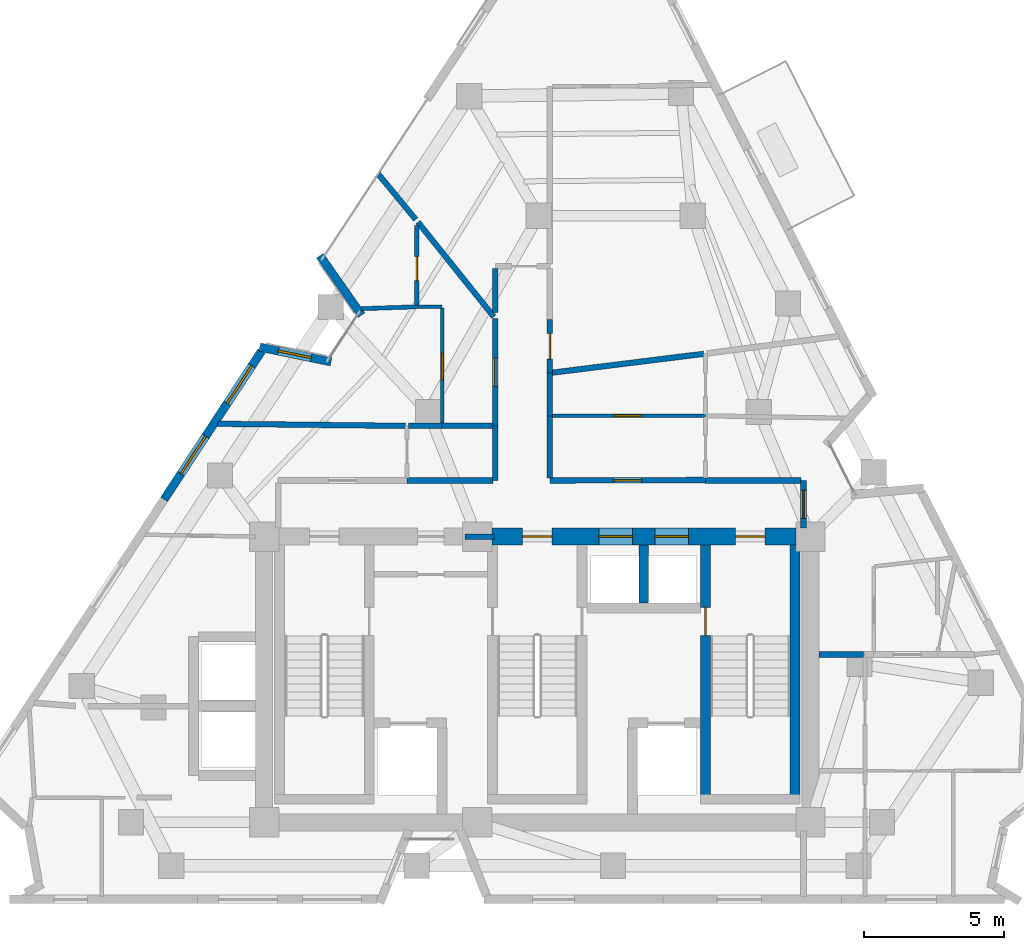
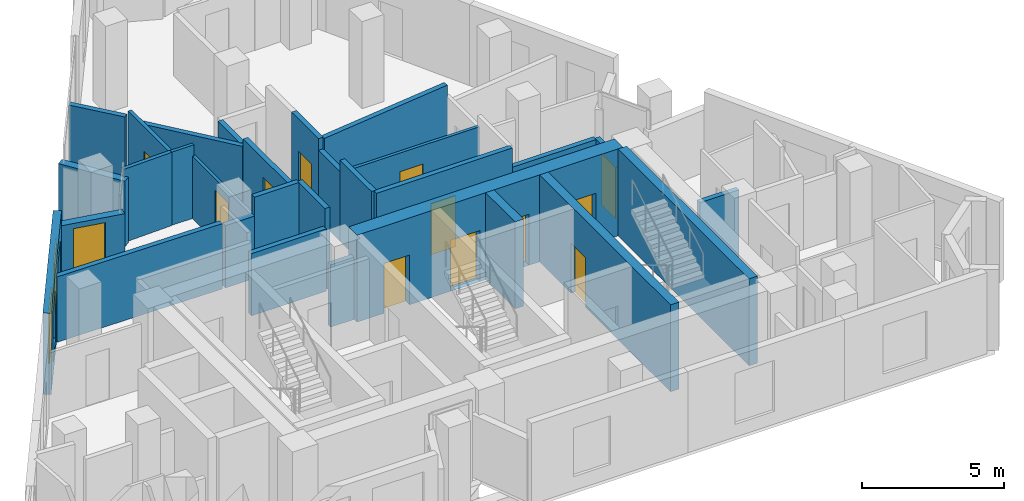
# One storey, part 6 of 9: 30 walls, 12 doors, 3 windows, 15 openings.
"""IFC4 building model written with IfcOpenShell, lengths in metres."""

from ifc_helpers import new_model, si_unit, direction, frame, frame_2d, origin, place, context, subcontext, project, spatial, rectangle, extrude, material, layer, layer_set, type_object, element, fill, save


model = new_model("IFC4")

# Units and contexts
model_context = context("Model", 3, precision=1e-05, world=origin(), true_north=direction((0.0, 1.0)))
body_context = subcontext(model_context, "Body", "Model", "MODEL_VIEW")
ifc_project = project(units=[si_unit("LENGTHUNIT", "METRE"), si_unit("AREAUNIT", "SQUARE_METRE"), si_unit("VOLUMEUNIT", "CUBIC_METRE"), si_unit("PLANEANGLEUNIT", "RADIAN"), si_unit("MASSUNIT", "GRAM", prefix="KILO")], contexts=[model_context])

# Site, building, storey
site_placement = place(None, origin())
site = spatial("IfcSite", under=ifc_project, at=site_placement, CompositionType="ELEMENT")
building_placement = place(site_placement, origin())
building = spatial("IfcBuilding", under=site, at=building_placement, Name="Almagre Mirador Tower", CompositionType="ELEMENT")
storey_placement = place(building_placement, frame((0.0, 0.0, 237.0)))
storey = spatial("IfcBuildingStorey", under=building, at=storey_placement, Name="L61", CompositionType="ELEMENT", Elevation=237.0)

# Wall, opening, window
ifc_material_1 = material(Name="Precast concrete C50/60", Category="concrete")
ifc_layer_1 = layer(ifc_material_1, 0.300048828125)
ifc_layer_set_1 = layer_set([ifc_layer_1], Name="Precast concrete C50/60")
wall_type_1 = type_object("IfcWallType", Name="WAL-EXT-300", PredefinedType="SOLIDWALL", material=ifc_layer_set_1)
wall_1_placement = place(storey_placement, frame((27.393798828125, 21.51318359375, 0.0), z_axis=(0.0, 0.0, 1.0), x_axis=(0.979513310411, -0.201379429751, 0.0)))
wall_1 = element("IfcWall", 1, at=wall_1_placement, inside=storey, type_object=wall_type_1, Name="L61 expressed almagre precast frame wall 01", PredefinedType="SOLIDWALL", context=body_context, shape_type="SweptSolid", body=[
    extrude(rectangle(XDim=2.594482421875, YDim=0.300048828125, at=frame_2d((1.29736328125, 0.0))), origin(), (0.0, 0.0, 1.0), 2.824951171875),
])
opening_1_placement = place(wall_1_placement, frame((0.675048828125, 0.0, 0.800048828125)))
opening_1 = element("IfcOpeningElement", 2, at=opening_1_placement, cuts=wall_1, Name="Opening WN-04", PredefinedType="OPENING", context=body_context, shape_type="SweptSolid", body=[
    extrude(rectangle(XDim=1.199951171875, YDim=1.800048828125, at=frame_2d((0.60009765625, 0.89990234375))), frame((0.0, 0.159902, 0.0), z_axis=(0.0, -1.0, 0.0), x_axis=(1.0, 0.0, 0.0)), (0.0, 0.0, 1.0), 0.320049),
])
ifc_material_2 = material(Name="Dark solar-control laminated hurricane glass", Category="glass")
window_type_1 = type_object("IfcWindowType", Name="WIN-1200X1800", PartitioningType="SINGLE_PANEL", PredefinedType="WINDOW", material=ifc_material_2)
window_1_placement = place(opening_1_placement, origin())
window_1 = element("IfcWindow", 3, at=window_1_placement, inside=storey, type_object=window_type_1, Name="L61 recessed hurricane window L61-UG-KT", OverallHeight=1.800048828125, OverallWidth=1.199951171875, PartitioningType="SINGLE_PANEL", PredefinedType="WINDOW", context=body_context, shape_type="SweptSolid", body=[
    extrude(rectangle(XDim=1.199951171875, YDim=1.800048828125, at=frame_2d((0.60009765625, 0.89990234375))), frame((0.0, 0.030029296875, 0.0), z_axis=(0.0, -1.0, 0.0), x_axis=(1.0, 0.0, 0.0)), (0.0, 0.0, 1.0), 0.06005859375),
])
fill(opening_1, window_1)

# Wall
wall_2_placement = place(storey_placement, frame((31.025390625, 22.6513671875, 0.0), z_axis=(0.0, 0.0, 1.0), x_axis=(-0.573670817112, 0.819085950065, 0.0)))
element("IfcWall", 4, at=wall_2_placement, inside=storey, type_object=wall_type_1, Name="L61 expressed almagre precast frame wall 02", PredefinedType="SOLIDWALL", context=body_context, shape_type="SweptSolid", body=[
    extrude(rectangle(XDim=2.593505859375, YDim=0.300048828125, at=frame_2d((1.296875, 0.0))), origin(), (0.0, 0.0, 1.0), 2.824951171875),
])

# Wall, openings, windows
wall_3_placement = place(storey_placement, frame((23.978271484375, 16.07666015625, 0.0), z_axis=(0.0, 0.0, 1.0), x_axis=(0.549014101099, 0.835813087236, 0.0)))
wall_3 = element("IfcWall", 5, at=wall_3_placement, inside=storey, type_object=wall_type_1, Name="L61 expressed almagre precast frame wall 32", PredefinedType="SOLIDWALL", context=body_context, shape_type="SweptSolid", body=[
    extrude(rectangle(XDim=6.3359375, YDim=0.300048828125, at=frame_2d((3.16796875, 0.0))), origin(), (0.0, 0.0, 1.0), 3.5),
])
opening_2_placement = place(wall_3_placement, frame((1.10009765625, 0.0, 0.550048828125)))
opening_2 = element("IfcOpeningElement", 6, at=opening_2_placement, cuts=wall_3, Name="Opening WN-06", PredefinedType="OPENING", context=body_context, shape_type="SweptSolid", body=[
    extrude(rectangle(XDim=1.60009765625, YDim=2.199951171875, at=frame_2d((0.800048828125, 1.10009765625))), frame((0.0, 0.159902, 0.0), z_axis=(0.0, -1.0, 0.0), x_axis=(1.0, 0.0, 0.0)), (0.0, 0.0, 1.0), 0.320049),
])
opening_3_placement = place(wall_3_placement, frame((4.10009765625, 0.0, 0.550048828125)))
opening_3 = element("IfcOpeningElement", 7, at=opening_3_placement, cuts=wall_3, Name="Opening WN-06", PredefinedType="OPENING", context=body_context, shape_type="SweptSolid", body=[
    extrude(rectangle(XDim=1.60009765625, YDim=2.199951171875, at=frame_2d((0.800048828125, 1.10009765625))), frame((0.0, 0.159902, 0.0), z_axis=(0.0, -1.0, 0.0), x_axis=(1.0, 0.0, 0.0)), (0.0, 0.0, 1.0), 0.320049),
])
ifc_material_3 = material(Name="Dark solar-control laminated hurricane glass", Category="glass")
window_type_2 = type_object("IfcWindowType", Name="WIN-1600X2200", PartitioningType="DOUBLE_PANEL_VERTICAL", PredefinedType="WINDOW", material=ifc_material_3)
window_2_placement = place(opening_2_placement, origin())
window_2 = element("IfcWindow", 8, at=window_2_placement, inside=storey, type_object=window_type_2, Name="L61 recessed hurricane window L61-UD-ST", OverallHeight=2.199951171875, OverallWidth=1.60009765625, PartitioningType="SINGLE_PANEL", PredefinedType="WINDOW", context=body_context, shape_type="SweptSolid", body=[
    extrude(rectangle(XDim=1.60009765625, YDim=2.199951171875, at=frame_2d((0.800048828125, 1.10009765625))), frame((0.0, 0.030029296875, 0.0), z_axis=(0.0, -1.0, 0.0), x_axis=(1.0, 0.0, 0.0)), (0.0, 0.0, 1.0), 0.06005859375),
])
fill(opening_2, window_2)
window_3_placement = place(opening_3_placement, origin())
window_3 = element("IfcWindow", 9, at=window_3_placement, inside=storey, type_object=window_type_2, Name="L61 recessed hurricane window L61-UG-KT", OverallHeight=2.199951171875, OverallWidth=1.60009765625, PartitioningType="SINGLE_PANEL", PredefinedType="WINDOW", context=body_context, shape_type="SweptSolid", body=[
    extrude(rectangle(XDim=1.60009765625, YDim=2.199951171875, at=frame_2d((0.800048828125, 1.10009765625))), frame((0.0, 0.030029296875, 0.0), z_axis=(0.0, -1.0, 0.0), x_axis=(1.0, 0.0, 0.0)), (0.0, 0.0, 1.0), 0.06005859375),
])
fill(opening_3, window_3)

# Wall, opening, door
ifc_material_4 = material(Name="Gypsum acoustic stud partition", Category="other")
ifc_layer_2 = layer(ifc_material_4, 0.125)
ifc_layer_set_2 = layer_set([ifc_layer_2], Name="Gypsum acoustic stud partition")
wall_type_2 = type_object("IfcWallType", Name="WAL-PRT-125-UTL", PredefinedType="PARTITIONING", material=ifc_layer_set_2)
wall_4_placement = place(storey_placement, frame((43.300048828125, 19.06005859375, 0.0), z_axis=(0.0, 0.0, 1.0), x_axis=(-1.0, 0.0, 0.0)))
wall_4 = element("IfcWall", 10, at=wall_4_placement, inside=storey, type_object=wall_type_2, Name="L61 interior partition 045", PredefinedType="PARTITIONING", context=body_context, shape_type="SweptSolid", body=[
    extrude(rectangle(XDim=5.465087890625, YDim=0.125, at=frame_2d((2.732421875, 0.0))), origin(), (0.0, 0.0, 1.0), 3.0029296875),
])
opening_4_placement = place(wall_4_placement, frame((2.300048828125, 0.0, 0.0)))
opening_4 = element("IfcOpeningElement", 11, at=opening_4_placement, cuts=wall_4, Name="Opening UD-01", PredefinedType="OPENING", context=body_context, shape_type="SweptSolid", body=[
    extrude(rectangle(XDim=0.949951171875, YDim=2.199951171875, at=frame_2d((0.47509765625, 1.10009765625))), frame((0.0, 0.0725, 0.0), z_axis=(0.0, -1.0, 0.0), x_axis=(1.0, 0.0, 0.0)), (0.0, 0.0, 1.0), 0.145),
])
ifc_material_5 = material(Name="Solid American walnut timber", Category="wood")
door_type_1 = type_object("IfcDoorType", Name="DOR-UNR-950X2200", OperationType="NOTDEFINED", PredefinedType="DOOR", material=ifc_material_5)
door_1_placement = place(opening_4_placement, origin())
door_1 = element("IfcDoor", 12, at=door_1_placement, inside=storey, type_object=door_type_1, Name="DR-1893 L61 interior door L61-UF-LV to L61-UF-KT", OperationType="SINGLE_SWING_LEFT", OverallHeight=2.199951171875, OverallWidth=0.949951171875, PredefinedType="DOOR", context=body_context, shape_type="SweptSolid", body=[
    extrude(rectangle(XDim=0.949951171875, YDim=2.199951171875, at=frame_2d((0.47509765625, 1.10009765625))), frame((0.0, 0.02490234375, 0.0), z_axis=(0.0, -1.0, 0.0), x_axis=(1.0, 0.0, 0.0)), (0.0, 0.0, 1.0), 0.050048828125),
])
fill(opening_4, door_1)

# Wall
wall_5_placement = place(storey_placement, frame((33.0, 22.949951171875, 0.0), z_axis=(0.0, 0.0, 1.0), x_axis=(1.0, 0.0, 0.0)))
element("IfcWall", 13, at=wall_5_placement, inside=storey, type_object=wall_type_2, Name="L61 interior partition 051", PredefinedType="PARTITIONING", context=body_context, shape_type="SweptSolid", body=[
    extrude(rectangle(XDim=0.89990234375, YDim=0.125, at=frame_2d((0.449951171875, 0.0))), origin(), (0.0, 0.0, 1.0), 3.159912109375),
])

# Wall, opening, door
wall_6_placement = place(storey_placement, frame((33.89990234375, 22.902587890625, 0.0), z_axis=(0.0, 0.0, 1.0), x_axis=(0.0, -1.0, 0.0)))
wall_6 = element("IfcWall", 14, at=wall_6_placement, inside=storey, type_object=wall_type_2, Name="L61 interior partition 052", PredefinedType="PARTITIONING", context=body_context, shape_type="SweptSolid", body=[
    extrude(rectangle(XDim=4.11767578125, YDim=0.125, at=frame_2d((2.058837890625, 0.0))), origin(), (0.0, 0.0, 1.0), 2.68505859375),
])
opening_5_placement = place(wall_6_placement, frame((1.6025390625, 0.0, 0.0)))
opening_5 = element("IfcOpeningElement", 15, at=opening_5_placement, cuts=wall_6, Name="Opening UD-01", PredefinedType="OPENING", context=body_context, shape_type="SweptSolid", body=[
    extrude(rectangle(XDim=0.949951171875, YDim=2.199951171875, at=frame_2d((0.47509765625, 1.10009765625))), frame((0.0, 0.0725, 0.0), z_axis=(0.0, -1.0, 0.0), x_axis=(1.0, 0.0, 0.0)), (0.0, 0.0, 1.0), 0.145),
])
door_2_placement = place(opening_5_placement, origin())
door_2 = element("IfcDoor", 16, at=door_2_placement, inside=storey, type_object=door_type_1, Name="DR-1897 L61 interior door L61-UG-ST to L61-UG-KT", OperationType="SINGLE_SWING_LEFT", OverallHeight=2.199951171875, OverallWidth=0.949951171875, PredefinedType="DOOR", context=body_context, shape_type="SweptSolid", body=[
    extrude(rectangle(XDim=0.949951171875, YDim=2.199951171875, at=frame_2d((0.47509765625, 1.10009765625))), frame((0.0, 0.02490234375, 0.0), z_axis=(0.0, -1.0, 0.0), x_axis=(1.0, 0.0, 0.0)), (0.0, 0.0, 1.0), 0.050048828125),
])
fill(opening_5, door_2)

ifc_material_6 = material(Name="Gypsum acoustic stud partition", Category="other")
ifc_layer_3 = layer(ifc_material_6, 0.14990234375)
ifc_layer_set_3 = layer_set([ifc_layer_3], Name="Gypsum acoustic stud partition")
wall_type_3 = type_object("IfcWallType", Name="WAL-PRT-150-STD", PredefinedType="PARTITIONING", material=ifc_layer_set_3)
wall_7_placement = place(storey_placement, frame((33.0, 25.85009765625, 0.0), z_axis=(0.0, 0.0, 1.0), x_axis=(0.0, -1.0, 0.0)))
wall_7 = element("IfcWall", 17, at=wall_7_placement, inside=storey, type_object=wall_type_3, Name="L61 interior partition 053", PredefinedType="PARTITIONING", context=body_context, shape_type="SweptSolid", body=[
    extrude(rectangle(XDim=2.8525390625, YDim=0.14990234375, at=frame_2d((1.42626953125, 0.0))), origin(), (0.0, 0.0, 1.0), 3.159912109375),
])
opening_6_placement = place(wall_7_placement, frame((1.111083984375, 0.0, 0.0)))
opening_6 = element("IfcOpeningElement", 18, at=opening_6_placement, cuts=wall_7, Name="Opening UD-04", PredefinedType="OPENING", context=body_context, shape_type="SweptSolid", body=[
    extrude(rectangle(XDim=0.85009765625, YDim=2.10009765625, at=frame_2d((0.425048828125, 1.050048828125))), frame((0.0, 0.084951, 0.0), z_axis=(0.0, -1.0, 0.0), x_axis=(1.0, 0.0, 0.0)), (0.0, 0.0, 1.0), 0.169902),
])
ifc_material_7 = material(Name="Moisture-resistant oak timber", Category="wood")
door_type_2 = type_object("IfcDoorType", Name="DOR-UNR-850X2100", OperationType="NOTDEFINED", PredefinedType="DOOR", material=ifc_material_7)
door_3_placement = place(opening_6_placement, origin())
door_3 = element("IfcDoor", 19, at=door_3_placement, inside=storey, type_object=door_type_2, Name="DR-1898 L61 interior door L61-UG-ST to L61-UG-BT", OperationType="SINGLE_SWING_RIGHT", OverallHeight=2.10009765625, OverallWidth=0.85009765625, PredefinedType="DOOR", context=body_context, shape_type="SweptSolid", body=[
    extrude(rectangle(XDim=0.85009765625, YDim=2.10009765625, at=frame_2d((0.425048828125, 1.050048828125))), frame((0.0, 0.02490234375, 0.0), z_axis=(0.0, -1.0, 0.0), x_axis=(1.0, 0.0, 0.0)), (0.0, 0.0, 1.0), 0.050048828125),
])
fill(opening_6, door_3)

# Walls
wall_8_placement = place(storey_placement, frame((32.987548828125, 22.94970703125, 0.0), z_axis=(0.0, 0.0, 1.0), x_axis=(-0.999434189894, -0.033634804468, 0.0)))
element("IfcWall", 20, at=wall_8_placement, inside=storey, type_object=wall_type_3, Name="L61 interior partition 055", PredefinedType="PARTITIONING", context=body_context, shape_type="SweptSolid", body=[
    extrude(rectangle(XDim=1.981689453125, YDim=0.14990234375, at=frame_2d((0.99072265625, 0.0))), origin(), (0.0, 0.0, 1.0), 3.159912109375),
])
ifc_material_8 = material(Name="Gypsum acoustic stud partition", Category="other")
ifc_layer_4 = layer(ifc_material_8, 0.199951171875)
ifc_layer_set_4 = layer_set([ifc_layer_4], Name="Gypsum acoustic stud partition")
wall_type_4 = type_object("IfcWallType", Name="WAL-PRT-200-EI60", PredefinedType="PARTITIONING", material=ifc_layer_set_4)
wall_9_placement = place(storey_placement, frame((34.719970703125, 14.75, 0.0), z_axis=(0.0, 0.0, 1.0), x_axis=(1.0, 0.0, 0.0)))
element("IfcWall", 21, at=wall_9_placement, inside=storey, type_object=wall_type_4, Name="L61 core north closure wall", PredefinedType="PARTITIONING", context=body_context, shape_type="SweptSolid", body=[
    extrude(rectangle(XDim=1.030029296875, YDim=0.199951171875, at=frame_2d((0.51513671875, 0.0))), origin(), (0.0, 0.0, 1.0), 2.68505859375),
])
wall_10_placement = place(storey_placement, frame((35.800048828125, 18.699951171875, 0.0), z_axis=(0.0, 0.0, 1.0), x_axis=(0.0, -1.0, 0.0)))
element("IfcWall", 22, at=wall_10_placement, inside=storey, type_object=wall_type_4, Name="L61 interior partition 003", PredefinedType="PARTITIONING", context=body_context, shape_type="SweptSolid", body=[
    extrude(rectangle(XDim=1.949951171875, YDim=0.199951171875, at=frame_2d((0.97509765625, 0.0))), origin(), (0.0, 0.0, 1.0), 3.5),
])
wall_11_placement = place(storey_placement, frame((35.715087890625, 16.75, 0.0), z_axis=(0.0, 0.0, 1.0), x_axis=(-1.0, 0.0, 0.0)))
element("IfcWall", 23, at=wall_11_placement, inside=storey, type_object=wall_type_4, Name="L61 interior partition 004", PredefinedType="PARTITIONING", context=body_context, shape_type="SweptSolid", body=[
    extrude(rectangle(XDim=3.065185546875, YDim=0.199951171875, at=frame_2d((1.53271484375, 0.0))), origin(), (0.0, 0.0, 1.0), 2.68505859375),
])

# Wall, opening, door
wall_12_placement = place(storey_placement, frame((46.800048828125, 15.050048828125, 0.0), z_axis=(0.0, 0.0, 1.0), x_axis=(0.0, 1.0, 0.0)))
wall_12 = element("IfcWall", 24, at=wall_12_placement, inside=storey, type_object=wall_type_4, Name="L61 interior partition 005", PredefinedType="PARTITIONING", context=body_context, shape_type="SweptSolid", body=[
    extrude(rectangle(XDim=1.699951171875, YDim=0.199951171875, at=frame_2d((0.85009765625, 0.0))), origin(), (0.0, 0.0, 1.0), 2.68505859375),
])
opening_7_placement = place(wall_12_placement, frame((0.35009765625, 0.0, 0.0)))
opening_7 = element("IfcOpeningElement", 25, at=opening_7_placement, cuts=wall_12, Name="Opening ID-01", PredefinedType="OPENING", context=body_context, shape_type="SweptSolid", body=[
    extrude(rectangle(XDim=1.0, YDim=2.199951171875, at=frame_2d((0.5, 1.10009765625))), frame((0.0, 0.110098, 0.0), z_axis=(0.0, -1.0, 0.0), x_axis=(1.0, 0.0, 0.0)), (0.0, 0.0, 1.0), 0.219951),
])
ifc_material_9 = material(Name="Fire-rated walnut timber", Category="wood")
door_type_3 = type_object("IfcDoorType", Name="DOR-FD60-1000X2200", OperationType="NOTDEFINED", PredefinedType="DOOR", material=ifc_material_9)
door_4_placement = place(opening_7_placement, origin())
door_4 = element("IfcDoor", 26, at=door_4_placement, inside=storey, type_object=door_type_3, Name="DR-1889 L61 interior door L61-RCOR to L61-UE-ST", OperationType="SINGLE_SWING_LEFT", OverallHeight=2.199951171875, OverallWidth=1.0, PredefinedType="DOOR", context=body_context, shape_type="SweptSolid", body=[
    extrude(rectangle(XDim=1.0, YDim=2.199951171875, at=frame_2d((0.5, 1.10009765625))), frame((0.0, 0.02490234375, 0.0), z_axis=(0.0, -1.0, 0.0), x_axis=(1.0, 0.0, 0.0)), (0.0, 0.0, 1.0), 0.050048828125),
])
fill(opening_7, door_4)

# Wall
wall_13_placement = place(storey_placement, frame((46.715087890625, 16.75, 0.0), z_axis=(0.0, 0.0, 1.0), x_axis=(-1.0, 0.0, 0.0)))
element("IfcWall", 27, at=wall_13_placement, inside=storey, type_object=wall_type_4, Name="L61 interior partition 006", PredefinedType="PARTITIONING", context=body_context, shape_type="SweptSolid", body=[
    extrude(rectangle(XDim=3.4150390625, YDim=0.199951171875, at=frame_2d((1.70751953125, 0.0))), origin(), (0.0, 0.0, 1.0), 2.68505859375),
])

# Wall, opening, door
wall_14_placement = place(storey_placement, frame((43.300048828125, 16.77001953125, 0.0), z_axis=(0.0, 0.0, 1.0), x_axis=(-0.999993494511, -0.003607067547, 0.0)))
wall_14 = element("IfcWall", 28, at=wall_14_placement, inside=storey, type_object=wall_type_4, Name="L61 interior partition 007", PredefinedType="PARTITIONING", context=body_context, shape_type="SweptSolid", body=[
    extrude(rectangle(XDim=5.550048828125, YDim=0.199951171875, at=frame_2d((2.77490234375, 0.0))), origin(), (0.0, 0.0, 1.0), 3.5),
])
opening_8_placement = place(wall_14_placement, frame((2.27490234375, 0.0, 0.0)))
opening_8 = element("IfcOpeningElement", 29, at=opening_8_placement, cuts=wall_14, Name="Opening ID-01", PredefinedType="OPENING", context=body_context, shape_type="SweptSolid", body=[
    extrude(rectangle(XDim=1.0, YDim=2.199951171875, at=frame_2d((0.5, 1.10009765625))), frame((0.0, 0.110098, 0.0), z_axis=(0.0, -1.0, 0.0), x_axis=(1.0, 0.0, 0.0)), (0.0, 0.0, 1.0), 0.219951),
])
door_5_placement = place(opening_8_placement, origin())
door_5 = element("IfcDoor", 30, at=door_5_placement, inside=storey, type_object=door_type_3, Name="DR-1892 L61 interior door L61-RCOR to L61-UF-LV", OperationType="SINGLE_SWING_RIGHT", OverallHeight=2.199951171875, OverallWidth=1.0, PredefinedType="DOOR", context=body_context, shape_type="SweptSolid", body=[
    extrude(rectangle(XDim=1.0, YDim=2.199951171875, at=frame_2d((0.5, 1.10009765625))), frame((0.0, 0.02490234375, 0.0), z_axis=(0.0, -1.0, 0.0), x_axis=(1.0, 0.0, 0.0)), (0.0, 0.0, 1.0), 0.050048828125),
])
fill(opening_8, door_5)

# Walls
wall_15_placement = place(storey_placement, frame((37.75, 16.8349609375, 0.0), z_axis=(0.0, 0.0, 1.0), x_axis=(0.0, 1.0, 0.0)))
element("IfcWall", 31, at=wall_15_placement, inside=storey, type_object=wall_type_4, Name="L61 interior partition 008", PredefinedType="PARTITIONING", context=body_context, shape_type="SweptSolid", body=[
    extrude(rectangle(XDim=2.22509765625, YDim=0.199951171875, at=frame_2d((1.112548828125, 0.0))), origin(), (0.0, 0.0, 1.0), 3.5),
])
wall_16_placement = place(storey_placement, frame((37.75, 19.06005859375, 0.0), z_axis=(0.0, 0.0, 1.0), x_axis=(0.0, 1.0, 0.0)))
element("IfcWall", 32, at=wall_16_placement, inside=storey, type_object=wall_type_4, Name="L61 interior partition 009", PredefinedType="PARTITIONING", context=body_context, shape_type="SweptSolid", body=[
    extrude(rectangle(XDim=1.530029296875, YDim=0.199951171875, at=frame_2d((0.76513671875, 0.0))), origin(), (0.0, 0.0, 1.0), 3.0029296875),
])

# Wall, opening, door
wall_17_placement = place(storey_placement, frame((35.800048828125, 22.530029296875, 0.0), z_axis=(0.0, 0.0, 1.0), x_axis=(0.0, -1.0, 0.0)))
wall_17 = element("IfcWall", 33, at=wall_17_placement, inside=storey, type_object=wall_type_4, Name="L61 interior partition 010", PredefinedType="PARTITIONING", context=body_context, shape_type="SweptSolid", body=[
    extrude(rectangle(XDim=3.830078125, YDim=0.199951171875, at=frame_2d((1.9150390625, 0.0))), origin(), (0.0, 0.0, 1.0), 3.0029296875),
])
opening_9_placement = place(wall_17_placement, frame((1.4150390625, 0.0, 0.0)))
opening_9 = element("IfcOpeningElement", 34, at=opening_9_placement, cuts=wall_17, Name="Opening ID-01", PredefinedType="OPENING", context=body_context, shape_type="SweptSolid", body=[
    extrude(rectangle(XDim=1.0, YDim=2.199951171875, at=frame_2d((0.5, 1.10009765625))), frame((0.0, 0.110098, 0.0), z_axis=(0.0, -1.0, 0.0), x_axis=(1.0, 0.0, 0.0)), (0.0, 0.0, 1.0), 0.219951),
])
door_6_placement = place(opening_9_placement, origin())
door_6 = element("IfcDoor", 35, at=door_6_placement, inside=storey, type_object=door_type_3, Name="DR-1896 L61 interior door L61-RCOR to L61-UG-ST", OperationType="SINGLE_SWING_RIGHT", OverallHeight=2.199951171875, OverallWidth=1.0, PredefinedType="DOOR", context=body_context, shape_type="SweptSolid", body=[
    extrude(rectangle(XDim=1.0, YDim=2.199951171875, at=frame_2d((0.5, 1.10009765625))), frame((0.0, 0.02490234375, 0.0), z_axis=(0.0, -1.0, 0.0), x_axis=(1.0, 0.0, 0.0)), (0.0, 0.0, 1.0), 0.050048828125),
])
fill(opening_9, door_6)

wall_18_placement = place(storey_placement, frame((37.75, 20.590087890625, 0.0), z_axis=(0.0, 0.0, 1.0), x_axis=(0.0, 1.0, 0.0)))
wall_18 = element("IfcWall", 36, at=wall_18_placement, inside=storey, type_object=wall_type_4, Name="L61 interior partition 011", PredefinedType="PARTITIONING", context=body_context, shape_type="SweptSolid", body=[
    extrude(rectangle(XDim=1.89990234375, YDim=0.199951171875, at=frame_2d((0.949951171875, 0.0))), origin(), (0.0, 0.0, 1.0), 3.5),
])
opening_10_placement = place(wall_18_placement, frame((0.5, 0.0, 0.0)))
opening_10 = element("IfcOpeningElement", 37, at=opening_10_placement, cuts=wall_18, Name="Opening ID-03", PredefinedType="OPENING", context=body_context, shape_type="SweptSolid", body=[
    extrude(rectangle(XDim=0.89990234375, YDim=2.10009765625, at=frame_2d((0.449951171875, 1.050048828125))), frame((0.0, 0.110098, 0.0), z_axis=(0.0, -1.0, 0.0), x_axis=(1.0, 0.0, 0.0)), (0.0, 0.0, 1.0), 0.219951),
])
ifc_material_10 = material(Name="Fire-rated hollow steel", Category="steel")
door_type_4 = type_object("IfcDoorType", Name="DOR-FD60-900X2100", OperationType="NOTDEFINED", PredefinedType="DOOR", material=ifc_material_10)
door_7_placement = place(opening_10_placement, origin())
door_7 = element("IfcDoor", 38, at=door_7_placement, inside=storey, type_object=door_type_4, Name="DR-1880 L61 interior door L61-RCOR to L61-RST-H", OperationType="SINGLE_SWING_RIGHT", OverallHeight=2.10009765625, OverallWidth=0.89990234375, PredefinedType="DOOR", context=body_context, shape_type="SweptSolid", body=[
    extrude(rectangle(XDim=0.89990234375, YDim=2.10009765625, at=frame_2d((0.449951171875, 1.050048828125))), frame((0.0, 0.02490234375, 0.0), z_axis=(0.0, -1.0, 0.0), x_axis=(1.0, 0.0, 0.0)), (0.0, 0.0, 1.0), 0.050048828125),
])
fill(opening_10, door_7)

# Walls
wall_19_placement = place(storey_placement, frame((35.800048828125, 24.31494140625, 0.0), z_axis=(0.0, 0.0, 1.0), x_axis=(0.0, -1.0, 0.0)))
element("IfcWall", 39, at=wall_19_placement, inside=storey, type_object=wall_type_4, Name="L61 interior partition 013", PredefinedType="PARTITIONING", context=body_context, shape_type="SweptSolid", body=[
    extrude(rectangle(XDim=1.56982421875, YDim=0.199951171875, at=frame_2d((0.784912109375, 0.0))), origin(), (0.0, 0.0, 1.0), 2.68505859375),
])
wall_20_placement = place(storey_placement, frame((48.93994140625, 10.5400390625, 0.0), z_axis=(0.0, 0.0, 1.0), x_axis=(-1.0, 0.0, 0.0)))
element("IfcWall", 40, at=wall_20_placement, inside=storey, type_object=wall_type_4, Name="L61 interior partition 034", PredefinedType="PARTITIONING", context=body_context, shape_type="SweptSolid", body=[
    extrude(rectangle(XDim=1.58984375, YDim=0.199951171875, at=frame_2d((0.794921875, 0.0))), origin(), (0.0, 0.0, 1.0), 3.5),
])
wall_21_placement = place(storey_placement, frame((32.590087890625, 18.700439453125, 0.0), z_axis=(0.0, 0.0, 1.0), x_axis=(-0.999936578616, 0.011262270924, 0.0)))
element("IfcWall", 41, at=wall_21_placement, inside=storey, type_object=wall_type_4, Name="L61 interior partition 039", PredefinedType="PARTITIONING", context=body_context, shape_type="SweptSolid", body=[
    extrude(rectangle(XDim=6.698486328125, YDim=0.199951171875, at=frame_2d((3.34912109375, 0.0))), origin(), (0.0, 0.0, 1.0), 2.820068359375),
])
wall_22_placement = place(storey_placement, frame((35.715087890625, 18.699951171875, 0.0), z_axis=(0.0, 0.0, 1.0), x_axis=(-1.0, 0.0, 0.0)))
element("IfcWall", 42, at=wall_22_placement, inside=storey, type_object=wall_type_4, Name="L61 interior partition 040", PredefinedType="PARTITIONING", context=body_context, shape_type="SweptSolid", body=[
    extrude(rectangle(XDim=1.815185546875, YDim=0.199951171875, at=frame_2d((0.90771484375, 0.0))), origin(), (0.0, 0.0, 1.0), 3.5),
])
wall_23_placement = place(storey_placement, frame((33.89990234375, 18.699951171875, 0.0), z_axis=(0.0, 0.0, 1.0), x_axis=(-1.0, 0.0, 0.0)))
element("IfcWall", 43, at=wall_23_placement, inside=storey, type_object=wall_type_4, Name="L61 interior partition 041", PredefinedType="PARTITIONING", context=body_context, shape_type="SweptSolid", body=[
    extrude(rectangle(XDim=1.18994140625, YDim=0.199951171875, at=frame_2d((0.594970703125, 0.0))), origin(), (0.0, 0.0, 1.0), 2.68505859375),
])
wall_24_placement = place(storey_placement, frame((43.240478515625, 21.272705078125, 0.0), z_axis=(0.0, 0.0, 1.0), x_axis=(-0.992359707292, -0.12337832607, 0.0)))
element("IfcWall", 44, at=wall_24_placement, inside=storey, type_object=wall_type_4, Name="L61 interior partition 050", PredefinedType="PARTITIONING", context=body_context, shape_type="SweptSolid", body=[
    extrude(rectangle(XDim=5.447509765625, YDim=0.199951171875, at=frame_2d((2.7236328125, 0.0))), origin(), (0.0, 0.0, 1.0), 3.5),
])
wall_25_placement = place(storey_placement, frame((35.746826171875, 22.59619140625, 0.0), z_axis=(0.0, 0.0, 1.0), x_axis=(-0.625774137293, 0.780004313511, 0.0)))
element("IfcWall", 45, at=wall_25_placement, inside=storey, type_object=wall_type_4, Name="L61 interior partition 054", PredefinedType="PARTITIONING", context=body_context, shape_type="SweptSolid", body=[
    extrude(rectangle(XDim=4.329345703125, YDim=0.199951171875, at=frame_2d((2.16455078125, 0.0))), origin(), (0.0, 0.0, 1.0), 2.68505859375),
])
wall_26_placement = place(storey_placement, frame((32.9619140625, 26.06640625, 0.0), z_axis=(0.0, 0.0, 1.0), x_axis=(-0.636446400214, 0.771320931685, 0.0)))
element("IfcWall", 46, at=wall_26_placement, inside=storey, type_object=wall_type_4, Name="L61 interior partition 056", PredefinedType="PARTITIONING", context=body_context, shape_type="SweptSolid", body=[
    extrude(rectangle(XDim=2.117919921875, YDim=0.199951171875, at=frame_2d((1.05908203125, 0.0))), origin(), (0.0, 0.0, 1.0), 2.820068359375),
])

# Wall, opening, door
ifc_material_11 = material(Name="Concrete C60/75", Category="concrete")
ifc_layer_5 = layer(ifc_material_11, 0.35009765625)
ifc_layer_set_5 = layer_set([ifc_layer_5], Name="Concrete C60/75")
wall_type_5 = type_object("IfcWallType", Name="WAL-SHF-350", PredefinedType="SOLIDWALL", material=ifc_layer_set_5)
wall_27_placement = place(storey_placement, frame((43.300048828125, 5.199951171875, 0.0), z_axis=(0.0, 0.0, 1.0), x_axis=(0.0, 1.0, 0.0)))
wall_27 = element("IfcWall", 47, at=wall_27_placement, inside=storey, type_object=wall_type_5, Name="L61 shaft wall ST3-W", PredefinedType="SOLIDWALL", context=body_context, shape_type="SweptSolid", body=[
    extrude(rectangle(XDim=9.25, YDim=0.35009765625, at=frame_2d((4.625, 0.0))), origin(), (0.0, 0.0, 1.0), 3.75),
])
opening_11_placement = place(wall_27_placement, frame((6.02001953125, 0.0, 0.0)))
opening_11 = element("IfcOpeningElement", 48, at=opening_11_placement, cuts=wall_27, Name="Opening FD-01", PredefinedType="OPENING", context=body_context, shape_type="SweptSolid", body=[
    extrude(rectangle(XDim=1.0, YDim=2.14990234375, at=frame_2d((0.5, 1.074951171875))), frame((0.0, 0.185049, 0.0), z_axis=(0.0, -1.0, 0.0), x_axis=(1.0, 0.0, 0.0)), (0.0, 0.0, 1.0), 0.370098),
])
ifc_material_12 = material(Name="Fire-rated hollow steel", Category="steel")
door_type_5 = type_object("IfcDoorType", Name="DOR-FFL-1000X2150", OperationType="NOTDEFINED", PredefinedType="DOOR", material=ifc_material_12)
door_8_placement = place(opening_11_placement, origin())
door_8 = element("IfcDoor", 49, at=door_8_placement, inside=storey, type_object=door_type_5, Name="DR-1879 L61 FFL2-ST3 smokeproof door", OperationType="SINGLE_SWING_LEFT", OverallHeight=2.14990234375, OverallWidth=1.0, PredefinedType="DOOR", context=body_context, shape_type="SweptSolid", body=[
    extrude(rectangle(XDim=1.0, YDim=2.14990234375, at=frame_2d((0.5, 1.074951171875))), frame((0.0, 0.02490234375, 0.0), z_axis=(0.0, -1.0, 0.0), x_axis=(1.0, 0.0, 0.0)), (0.0, 0.0, 1.0), 0.050048828125),
])
fill(opening_11, door_8)

# Walls
wall_28_placement = place(storey_placement, frame((46.5, 5.199951171875, 0.0), z_axis=(0.0, 0.0, 1.0), x_axis=(0.0, 1.0, 0.0)))
element("IfcWall", 50, at=wall_28_placement, inside=storey, type_object=wall_type_5, Name="L61 shaft wall ST3-E", PredefinedType="SOLIDWALL", context=body_context, shape_type="SweptSolid", body=[
    extrude(rectangle(XDim=9.25, YDim=0.35009765625, at=frame_2d((4.625, 0.0))), origin(), (0.0, 0.0, 1.0), 3.75),
])
wall_29_placement = place(storey_placement, frame((41.10009765625, 12.375, 0.0), z_axis=(0.0, 0.0, 1.0), x_axis=(0.0, 1.0, 0.0)))
element("IfcWall", 51, at=wall_29_placement, inside=storey, type_object=wall_type_5, Name="L61 shaft wall PLH-M", PredefinedType="SOLIDWALL", context=body_context, shape_type="SweptSolid", body=[
    extrude(rectangle(XDim=2.074951171875, YDim=0.35009765625, at=frame_2d((1.03759765625, 0.0))), origin(), (0.0, 0.0, 1.0), 3.75),
])

# Wall, openings, doors
ifc_material_13 = material(Name="Concrete C60/75", Category="concrete")
ifc_layer_6 = layer(ifc_material_13, 0.60009765625)
ifc_layer_set_6 = layer_set([ifc_layer_6], Name="Concrete C60/75")
wall_type_6 = type_object("IfcWallType", Name="WAL-SHR-600", PredefinedType="SHEAR", material=ifc_layer_set_6)
wall_30_placement = place(storey_placement, frame((35.675048828125, 14.75, 0.0), z_axis=(0.0, 0.0, 1.0), x_axis=(1.0, 0.0, 0.0)))
wall_30 = element("IfcWall", 52, at=wall_30_placement, inside=storey, type_object=wall_type_6, Name="L61 core shear wall N2", PredefinedType="SHEAR", context=body_context, shape_type="SweptSolid", body=[
    extrude(rectangle(XDim=10.849853515625, YDim=0.60009765625, at=frame_2d((5.4248046875, 0.0))), origin(), (0.0, 0.0, 1.0), 3.75),
])
opening_12_placement = place(wall_30_placement, frame((1.10009765625, 0.0, 0.0)))
opening_12 = element("IfcOpeningElement", 53, at=opening_12_placement, cuts=wall_30, Name="Opening SD-01", PredefinedType="OPENING", context=body_context, shape_type="SweptSolid", body=[
    extrude(rectangle(XDim=1.050048828125, YDim=2.14990234375, at=frame_2d((0.52490234375, 1.074951171875))), frame((0.0, 0.310049, 0.0), z_axis=(0.0, -1.0, 0.0), x_axis=(1.0, 0.0, 0.0)), (0.0, 0.0, 1.0), 0.620098),
])
opening_13_placement = place(wall_30_placement, frame((8.699951171875, 0.0, 0.0)))
opening_13 = element("IfcOpeningElement", 54, at=opening_13_placement, cuts=wall_30, Name="Opening SD-01", PredefinedType="OPENING", context=body_context, shape_type="SweptSolid", body=[
    extrude(rectangle(XDim=1.050048828125, YDim=2.14990234375, at=frame_2d((0.52490234375, 1.074951171875))), frame((0.0, 0.310049, 0.0), z_axis=(0.0, -1.0, 0.0), x_axis=(1.0, 0.0, 0.0)), (0.0, 0.0, 1.0), 0.620098),
])
opening_14_placement = place(wall_30_placement, frame((3.824951171875, 0.0, 0.0)))
opening_14 = element("IfcOpeningElement", 55, at=opening_14_placement, cuts=wall_30, Name="Opening LD-02", PredefinedType="OPENING", context=body_context, shape_type="SweptSolid", body=[
    extrude(rectangle(XDim=1.199951171875, YDim=2.199951171875, at=frame_2d((0.60009765625, 1.10009765625))), frame((0.0, 0.310049, 0.0), z_axis=(0.0, -1.0, 0.0), x_axis=(1.0, 0.0, 0.0)), (0.0, 0.0, 1.0), 0.620098),
])
opening_15_placement = place(wall_30_placement, frame((5.824951171875, 0.0, 0.0)))
opening_15 = element("IfcOpeningElement", 56, at=opening_15_placement, cuts=wall_30, Name="Opening LD-02", PredefinedType="OPENING", context=body_context, shape_type="SweptSolid", body=[
    extrude(rectangle(XDim=1.199951171875, YDim=2.199951171875, at=frame_2d((0.60009765625, 1.10009765625))), frame((0.0, 0.310049, 0.0), z_axis=(0.0, -1.0, 0.0), x_axis=(1.0, 0.0, 0.0)), (0.0, 0.0, 1.0), 0.620098),
])
ifc_material_14 = material(Name="Hollow stainless steel", Category="steel")
door_type_6 = type_object("IfcDoorType", Name="DOR-LD-1200X2200", OperationType="DOUBLE_DOOR_SLIDING", PredefinedType="DOOR", material=ifc_material_14)
door_9_placement = place(opening_14_placement, origin())
door_9 = element("IfcDoor", 57, at=door_9_placement, inside=storey, type_object=door_type_6, Name="DR-1903 L61 PL-H1 lift landing door", OperationType="DOUBLE_DOOR_SLIDING", OverallHeight=2.199951171875, OverallWidth=1.199951171875, PredefinedType="DOOR", context=body_context, shape_type="SweptSolid", body=[
    extrude(rectangle(XDim=1.199951171875, YDim=2.199951171875, at=frame_2d((0.60009765625, 1.10009765625))), frame((0.0, 0.02490234375, 0.0), z_axis=(0.0, -1.0, 0.0), x_axis=(1.0, 0.0, 0.0)), (0.0, 0.0, 1.0), 0.050048828125),
])
fill(opening_14, door_9)
door_10_placement = place(opening_15_placement, origin())
door_10 = element("IfcDoor", 58, at=door_10_placement, inside=storey, type_object=door_type_6, Name="DR-1904 L61 PL-H2 lift landing door", OperationType="DOUBLE_DOOR_SLIDING", OverallHeight=2.199951171875, OverallWidth=1.199951171875, PredefinedType="DOOR", context=body_context, shape_type="SweptSolid", body=[
    extrude(rectangle(XDim=1.199951171875, YDim=2.199951171875, at=frame_2d((0.60009765625, 1.10009765625))), frame((0.0, 0.02490234375, 0.0), z_axis=(0.0, -1.0, 0.0), x_axis=(1.0, 0.0, 0.0)), (0.0, 0.0, 1.0), 0.050048828125),
])
fill(opening_15, door_10)
ifc_material_15 = material(Name="Fire-rated hollow steel", Category="steel")
door_type_7 = type_object("IfcDoorType", Name="DOR-ST-1050X2150", OperationType="NOTDEFINED", PredefinedType="DOOR", material=ifc_material_15)
door_11_placement = place(opening_12_placement, origin())
door_11 = element("IfcDoor", 59, at=door_11_placement, inside=storey, type_object=door_type_7, Name="DR-1906 L61 protected exit stair ST-2 door", OperationType="SINGLE_SWING_RIGHT", OverallHeight=2.14990234375, OverallWidth=1.050048828125, PredefinedType="DOOR", context=body_context, shape_type="SweptSolid", body=[
    extrude(rectangle(XDim=1.050048828125, YDim=2.14990234375, at=frame_2d((0.52490234375, 1.074951171875))), frame((0.0, 0.02490234375, 0.0), z_axis=(0.0, -1.0, 0.0), x_axis=(1.0, 0.0, 0.0)), (0.0, 0.0, 1.0), 0.050048828125),
])
fill(opening_12, door_11)
door_12_placement = place(opening_13_placement, origin())
door_12 = element("IfcDoor", 60, at=door_12_placement, inside=storey, type_object=door_type_7, Name="DR-1907 L61 protected exit stair ST-3 door", OperationType="SINGLE_SWING_LEFT", OverallHeight=2.14990234375, OverallWidth=1.050048828125, PredefinedType="DOOR", context=body_context, shape_type="SweptSolid", body=[
    extrude(rectangle(XDim=1.050048828125, YDim=2.14990234375, at=frame_2d((0.52490234375, 1.074951171875))), frame((0.0, 0.02490234375, 0.0), z_axis=(0.0, -1.0, 0.0), x_axis=(1.0, 0.0, 0.0)), (0.0, 0.0, 1.0), 0.050048828125),
])
fill(opening_13, door_12)

save(model, "model.ifc")
